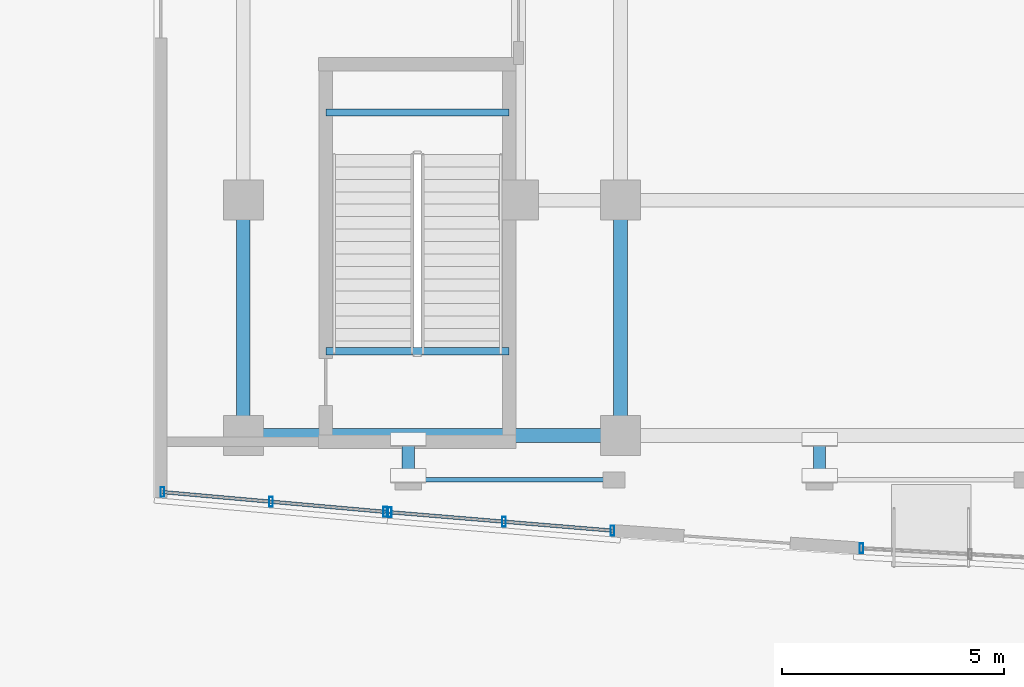
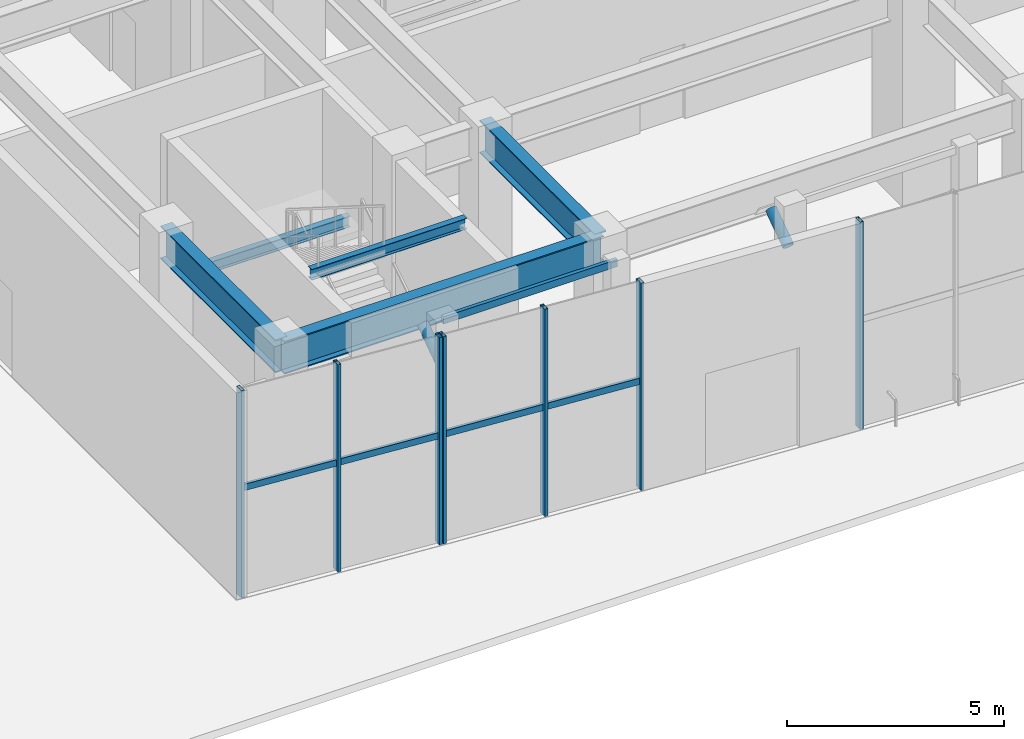
# One storey, part 2 of 23: 12 members, 5 beams, 3 elements without a shape of their own.
"""IFC4 building model written with IfcOpenShell, lengths in metres."""

from ifc_helpers import new_model, si_unit, direction, frame, origin, origin_2d, place, context, subcontext, project, spatial, hollow_rectangle, hollow_circle, i_section, extrude, material, layer, layer_set, material_profile, profile_set, type_object, element, aggregate, save


model = new_model("IFC4")

# Units and contexts
model_context = context("Model", 3, precision=1e-05, world=origin(), true_north=direction((0.0, 1.0)))
body_context = subcontext(model_context, "Body", "Model", "MODEL_VIEW")
ifc_project = project(units=[si_unit("LENGTHUNIT", "METRE"), si_unit("AREAUNIT", "SQUARE_METRE"), si_unit("VOLUMEUNIT", "CUBIC_METRE"), si_unit("PLANEANGLEUNIT", "RADIAN"), si_unit("MASSUNIT", "GRAM", prefix="KILO")], contexts=[model_context])

# Site, building, storey
site_placement = place(None, origin())
site = spatial("IfcSite", under=ifc_project, at=site_placement, CompositionType="ELEMENT")
building_placement = place(site_placement, origin())
building = spatial("IfcBuilding", under=site, at=building_placement, Name="Vantalir Tower", CompositionType="ELEMENT")
storey_placement = place(building_placement, origin())
storey = spatial("IfcBuildingStorey", under=building, at=storey_placement, Name="L00", CompositionType="ELEMENT", Elevation=0.0)

# Beams
ifc_material_1 = material(Name="Steel S355", Category="steel")
ifc_material_profile_1 = material_profile(ifc_material_1, i_section(OverallWidth=0.166015625, OverallDepth=0.306884765625, WebThickness=0.006591796875, FlangeThickness=0.01171875, at=origin_2d()), Name="Steel S355")
ifc_profile_set_1 = profile_set([ifc_material_profile_1], Name="Steel S355")
beam_type_1 = type_object("IfcBeamType", Name="BM-JS-305x165", PredefinedType="JOIST", material=ifc_profile_set_1)
for number, where, z_axis, x_axis, name in (
    (1, (3.860107421875, 5.094970703125, 5.845947265625), (1.0, 0.0, 0.0), (0.0, 1.0, 0.0), "Level 01 Stair PST3 Well Nosing Trimmer Beam"),
    (2, (3.860107421875, 10.47509765625, 2.64599609375), (1.0, 0.0, 0.0), (0.0, 1.0, 0.0), "L00 Stair PST3 Half-Landing Support Beam"),
):
    element("IfcBeam", number, at=place(storey_placement, frame(where, z_axis=z_axis, x_axis=x_axis)), inside=storey, type_object=beam_type_1, Name=name, PredefinedType="JOIST", context=body_context, shape_type="SweptSolid", body=[
        extrude(i_section(OverallWidth=0.166015625, OverallDepth=0.306884765625, WebThickness=0.006591796875, FlangeThickness=0.01171875, at=origin_2d()), origin(), (0.0, 0.0, 1.0), 4.1298828125),
    ])
ifc_material_profile_2 = material_profile(ifc_material_1, i_section(OverallWidth=0.30810546875, OverallDepth=0.927001953125, WebThickness=0.01953125, FlangeThickness=0.031982421875, at=origin_2d()), Name="Steel S355")
ifc_profile_set_2 = profile_set([ifc_material_profile_2], Name="Steel S355")
beam_type_2 = type_object("IfcBeamType", Name="BM-PG-914x305", PredefinedType="USERDEFINED", material=ifc_profile_set_2)
beam_placement = place(storey_placement, frame((2.0, 3.199951171875, 5.35693359375), z_axis=(1.0, 0.0, 0.0), x_axis=(0.0, 1.0, 0.0)))
element("IfcBeam", 3, at=beam_placement, inside=storey, type_object=beam_type_2, Name="L00 Podium E-W Girder 01", ObjectType="GIRDER", PredefinedType="USERDEFINED", context=body_context, shape_type="SweptSolid", body=[
    extrude(i_section(OverallWidth=0.30810546875, OverallDepth=0.927001953125, WebThickness=0.01953125, FlangeThickness=0.031982421875, at=origin_2d()), origin(), (0.0, 0.0, 1.0), 8.5),
])
for number, where, z_axis, x_axis, name in (
    (4, (2.0, 3.199951171875, 5.35693359375), (0.0, 1.0, 0.0), (-1.0, 0.0, 0.0), "L00 Podium N-S Girder 41"),
    (5, (10.5, 3.199951171875, 5.35693359375), (0.0, 1.0, 0.0), (-1.0, 0.0, 0.0), "L00 Podium N-S Girder 50"),
):
    element("IfcBeam", number, at=place(storey_placement, frame(where, z_axis=z_axis, x_axis=x_axis)), inside=storey, type_object=beam_type_2, Name=name, ObjectType="GIRDER", PredefinedType="USERDEFINED", context=body_context, shape_type="SweptSolid", body=[
        extrude(i_section(OverallWidth=0.30810546875, OverallDepth=0.927001953125, WebThickness=0.01953125, FlangeThickness=0.031982421875, at=origin_2d()), origin(), (0.0, 0.0, 1.0), 5.300048828125),
    ])

# Curtain wall, members
ifc_material_2 = material(Name="Champagne-silver PVDF aluminium and double-silver Low-E glass", Category="aluminium")
ifc_layer = layer(ifc_material_2, 0.239990234375)
ifc_layer_set = layer_set([ifc_layer], Name="Champagne-silver PVDF aluminium and double-silver Low-E glass")
curtain_wall_type = type_object("IfcCurtainWallType", Name="CW-PODIUM-WF", PredefinedType="USERDEFINED", material=ifc_layer_set)
curtain_wall_1_placement = place(storey_placement, origin())
curtain_wall_1 = element("IfcCurtainWall", 6, at=curtain_wall_1_placement, inside=storey, type_object=curtain_wall_type, Name="L00 Waterfront Stick Curtain Wall 01", ObjectType="STICK CURTAIN WALL", PredefinedType="USERDEFINED")
ifc_material_3 = material(Name="Champagne-silver PVDF aluminium 6063-T6", Category="aluminium")
ifc_material_profile_3 = material_profile(ifc_material_3, hollow_rectangle(XDim=0.0849609375, YDim=0.219970703125, WallThickness=0.0048828125, at=origin_2d()), Name="Champagne-silver PVDF aluminium 6063-T6")
ifc_profile_set_3 = profile_set([ifc_material_profile_3], Name="Champagne-silver PVDF aluminium 6063-T6")
member_type_1 = type_object("IfcMemberType", Name="CWM-220x85", PredefinedType="MULLION", material=ifc_profile_set_3)
member_1_placement = place(storey_placement, frame((0.178955078125, 1.924072265625, -0.011962890625), z_axis=(0.0, 0.0, 1.0), x_axis=(1.0, 0.0, 0.0)))
member_1 = element("IfcMember", 7, at=member_1_placement, type_object=member_type_1, Name="CW-L00-WF-01 Mullion 1", PredefinedType="MULLION", context=body_context, shape_type="SweptSolid", body=[
    extrude(hollow_rectangle(XDim=0.0849609375, YDim=0.219970703125, WallThickness=0.0048828125, at=origin_2d()), origin(), (0.0, 0.0, 1.0), 5.843994140625),
])
member_2_placement = place(storey_placement, frame((2.625, 1.70703125, -0.011962890625), z_axis=(0.0, 0.0, 1.0), x_axis=(1.0, 0.0, 0.0)))
member_2 = element("IfcMember", 8, at=member_2_placement, type_object=member_type_1, Name="CW-L00-WF-01 Mullion 2", PredefinedType="MULLION", context=body_context, shape_type="SweptSolid", body=[
    extrude(hollow_rectangle(XDim=0.0849609375, YDim=0.219970703125, WallThickness=0.0048828125, at=origin_2d()), origin(), (0.0, 0.0, 1.0), 5.843994140625),
])
member_3_placement = place(storey_placement, frame((5.199951171875, 1.47802734375, -0.011962890625), z_axis=(0.0, 0.0, 1.0), x_axis=(1.0, 0.0, 0.0)))
member_3 = element("IfcMember", 9, at=member_3_placement, type_object=member_type_1, Name="CW-L00-WF-01 Mullion 3", PredefinedType="MULLION", context=body_context, shape_type="SweptSolid", body=[
    extrude(hollow_rectangle(XDim=0.0849609375, YDim=0.219970703125, WallThickness=0.0048828125, at=origin_2d()), origin(), (0.0, 0.0, 1.0), 5.843994140625),
])

curtain_wall_2_placement = place(storey_placement, origin())
curtain_wall_2 = element("IfcCurtainWall", 10, at=curtain_wall_2_placement, inside=storey, type_object=curtain_wall_type, Name="L00 Waterfront Stick Curtain Wall 02", ObjectType="STICK CURTAIN WALL", PredefinedType="USERDEFINED")
member_4_placement = place(storey_placement, frame((5.300048828125, 1.469970703125, -0.011962890625), z_axis=(0.0, 0.0, 1.0), x_axis=(1.0, 0.0, 0.0)))
member_4 = element("IfcMember", 11, at=member_4_placement, type_object=member_type_1, Name="CW-L00-WF-02 Mullion 1", PredefinedType="MULLION", context=body_context, shape_type="SweptSolid", body=[
    extrude(hollow_rectangle(XDim=0.0849609375, YDim=0.219970703125, WallThickness=0.0048828125, at=origin_2d()), origin(), (0.0, 0.0, 1.0), 5.843994140625),
])
member_5_placement = place(storey_placement, frame((7.875, 1.257080078125, -0.011962890625), z_axis=(0.0, 0.0, 1.0), x_axis=(1.0, 0.0, 0.0)))
member_5 = element("IfcMember", 12, at=member_5_placement, type_object=member_type_1, Name="CW-L00-WF-02 Mullion 2", PredefinedType="MULLION", context=body_context, shape_type="SweptSolid", body=[
    extrude(hollow_rectangle(XDim=0.0849609375, YDim=0.219970703125, WallThickness=0.0048828125, at=origin_2d()), origin(), (0.0, 0.0, 1.0), 5.843994140625),
])
member_6_placement = place(storey_placement, frame((10.321044921875, 1.054931640625, -0.011962890625), z_axis=(0.0, 0.0, 1.0), x_axis=(1.0, 0.0, 0.0)))
member_6 = element("IfcMember", 13, at=member_6_placement, type_object=member_type_1, Name="CW-L00-WF-02 Mullion 3", PredefinedType="MULLION", context=body_context, shape_type="SweptSolid", body=[
    extrude(hollow_rectangle(XDim=0.0849609375, YDim=0.219970703125, WallThickness=0.0048828125, at=origin_2d()), origin(), (0.0, 0.0, 1.0), 5.843994140625),
])

# Curtain wall, member
curtain_wall_3_placement = place(storey_placement, origin())
curtain_wall_3 = element("IfcCurtainWall", 14, at=curtain_wall_3_placement, inside=storey, type_object=curtain_wall_type, Name="L00 Waterfront Stick Curtain Wall 04", ObjectType="STICK CURTAIN WALL", PredefinedType="USERDEFINED")
member_7_placement = place(storey_placement, frame((15.929931640625, 0.656982421875, -0.011962890625), z_axis=(0.0, 0.0, 1.0), x_axis=(1.0, 0.0, 0.0)))
member_7 = element("IfcMember", 15, at=member_7_placement, type_object=member_type_1, Name="CW-L00-WF-04 Mullion 1", PredefinedType="MULLION", context=body_context, shape_type="SweptSolid", body=[
    extrude(hollow_rectangle(XDim=0.0849609375, YDim=0.219970703125, WallThickness=0.0048828125, at=origin_2d()), origin(), (0.0, 0.0, 1.0), 5.843994140625),
])
aggregate(curtain_wall_3, [member_7])

# Member
ifc_material_profile_4 = material_profile(ifc_material_3, hollow_rectangle(XDim=0.080078125, YDim=0.179931640625, WallThickness=0.0048828125, at=origin_2d()), Name="Champagne-silver PVDF aluminium 6063-T6")
ifc_profile_set_4 = profile_set([ifc_material_profile_4], Name="Champagne-silver PVDF aluminium 6063-T6")
member_type_2 = type_object("IfcMemberType", Name="CWT-180x80", PredefinedType="USERDEFINED", material=ifc_profile_set_4)
member_8_placement = place(storey_placement, frame((0.178955078125, 1.924072265625, 3.02587890625), z_axis=(0.996077290425, -0.088487465215, 0.0), x_axis=(0.088487465215, 0.996077290425, 0.0)))
member_8 = element("IfcMember", 16, at=member_8_placement, type_object=member_type_2, Name="CW-L00-WF-01 Transom 1", ObjectType="TRANSOM", PredefinedType="USERDEFINED", context=body_context, shape_type="SweptSolid", body=[
    extrude(hollow_rectangle(XDim=0.080078125, YDim=0.179931640625, WallThickness=0.0048828125, at=origin_2d()), origin(), (0.0, 0.0, 1.0), 5.040771484375),
])

aggregate(curtain_wall_1, [member_1, member_2, member_3, member_8])

member_9_placement = place(storey_placement, frame((5.300048828125, 1.469970703125, 3.02587890625), z_axis=(0.996601012706, -0.082379739454, 0.0), x_axis=(0.082379739454, 0.996601012706, 0.0)))
member_9 = element("IfcMember", 17, at=member_9_placement, type_object=member_type_2, Name="CW-L00-WF-02 Transom 1", ObjectType="TRANSOM", PredefinedType="USERDEFINED", context=body_context, shape_type="SweptSolid", body=[
    extrude(hollow_rectangle(XDim=0.080078125, YDim=0.179931640625, WallThickness=0.0048828125, at=origin_2d()), origin(), (0.0, 0.0, 1.0), 5.0380859375),
])

aggregate(curtain_wall_2, [member_4, member_5, member_6, member_9])

# Members
ifc_material_profile_5 = material_profile(ifc_material_1, hollow_rectangle(XDim=0.10009765625, YDim=0.199951171875, WallThickness=0.008056640625, at=origin_2d()), Name="Steel S355")
ifc_profile_set_5 = profile_set([ifc_material_profile_5], Name="Steel S355")
member_type_3 = type_object("IfcMemberType", Name="MEM-PR-200x100", PredefinedType="PURLIN", material=ifc_profile_set_5)
member_10_placement = place(storey_placement, frame((5.717041015625, 2.199951171875, 5.64990234375), z_axis=(1.0, 0.0, 0.0), x_axis=(0.0, 1.0, 0.0)))
element("IfcMember", 18, at=member_10_placement, inside=storey, type_object=member_type_3, Name="L00 Waterfront Canopy Colonnade Tie 01", PredefinedType="PURLIN", context=body_context, shape_type="SweptSolid", body=[
    extrude(hollow_rectangle(XDim=0.10009765625, YDim=0.199951171875, WallThickness=0.008056640625, at=origin_2d()), origin(), (0.0, 0.0, 1.0), 4.633056640625),
])
ifc_material_profile_6 = material_profile(ifc_material_1, hollow_circle(Radius=0.136474609375, WallThickness=0.01611328125, at=origin_2d()), Name="Steel S355")
ifc_profile_set_6 = profile_set([ifc_material_profile_6], Name="Steel S355")
member_type_4 = type_object("IfcMemberType", Name="MEM-ST-273x16", PredefinedType="STRUT", material=ifc_profile_set_6)
for number, where, z_axis, x_axis, name in (
    (19, (5.717041015625, 2.298095703125, 4.4189453125), (0.0, 0.81959423401, 0.572944405311), (-1.0, 0.0, 0.0), "L00 Waterfront Canopy Strut 01"),
    (20, (14.98291015625, 2.298095703125, 4.4189453125), (0.0, 0.81959423401, 0.572944405311), (-1.0, 0.0, 0.0), "L00 Waterfront Canopy Strut 02"),
):
    element("IfcMember", number, at=place(storey_placement, frame(where, z_axis=z_axis, x_axis=x_axis)), inside=storey, type_object=member_type_4, Name=name, PredefinedType="STRUT", context=body_context, shape_type="SweptSolid", body=[
        extrude(hollow_circle(Radius=0.136474609375, WallThickness=0.01611328125, at=origin_2d()), origin(), (0.0, 0.0, 1.0), 0.98095703125),
    ])

save(model, "model.ifc")
